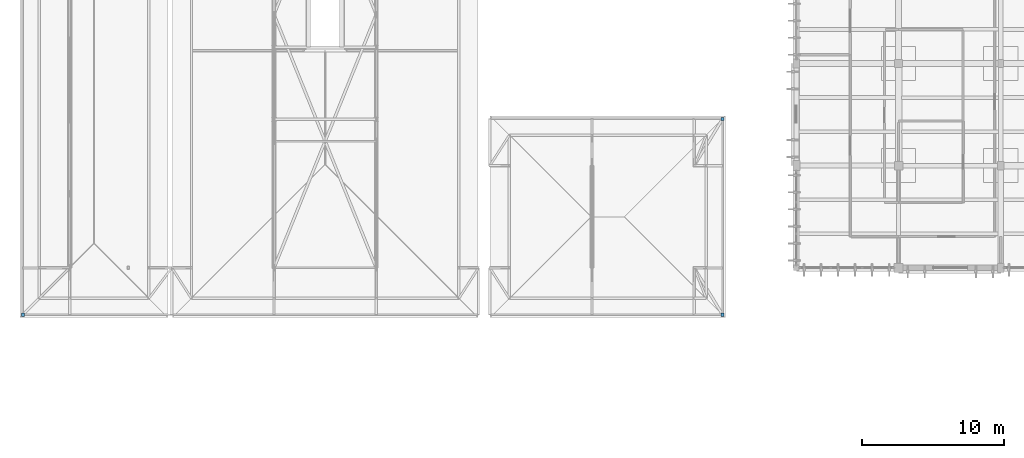
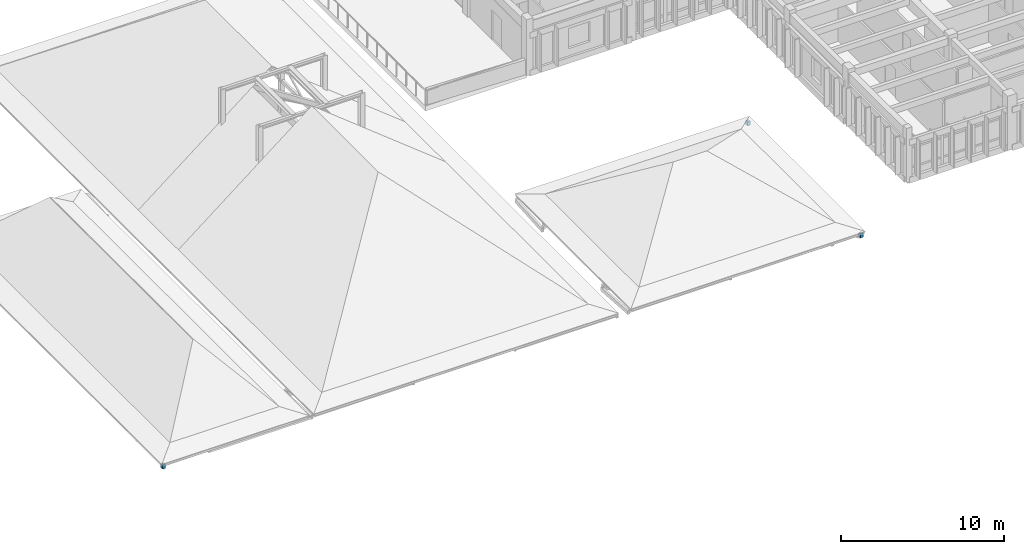
# One storey, part 44 of 51: 3 discrete accessories.
"""IFC4 building model written with IfcOpenShell, lengths in metres."""

from ifc_helpers import new_model, si_unit, direction, frame, origin, origin_2d, place, context, subcontext, project, spatial, rectangle, extrude, material, type_object, element, save


model = new_model("IFC4")

# Units and contexts
model_context = context("Model", 3, precision=1e-05, world=origin(), true_north=direction((0.0, 1.0)))
body_context = subcontext(model_context, "Body", "Model", "MODEL_VIEW")
ifc_project = project(units=[si_unit("LENGTHUNIT", "METRE"), si_unit("AREAUNIT", "SQUARE_METRE"), si_unit("VOLUMEUNIT", "CUBIC_METRE"), si_unit("PLANEANGLEUNIT", "RADIAN"), si_unit("MASSUNIT", "GRAM", prefix="KILO")], contexts=[model_context])

# Site, building, storey
site_placement = place(None, origin())
site = spatial("IfcSite", under=ifc_project, at=site_placement, CompositionType="ELEMENT")
building_placement = place(site_placement, origin())
building = spatial("IfcBuilding", under=site, at=building_placement, Name="Steenspoor Specialist Clinic", CompositionType="ELEMENT")
storey_placement = place(building_placement, frame((0.0, 0.0, 17.39990234375)))
storey = spatial("IfcBuildingStorey", under=building, at=storey_placement, Name="L04", CompositionType="ELEMENT", Elevation=17.39990234375)

# Discrete accessories
ifc_material = material(Name="Galvanised steel mounting bracket", Category="steel")
discrete_accessory_type = type_object("IfcDiscreteAccessoryType", Name="ACC-BRACKET-FIN", PredefinedType="BRACKET", material=ifc_material)
for number, where, z_axis, x_axis, name in (
    (1, (68.800048828125, 69.050048828125, -0.39794921875), (0.0, 0.0, 1.0), (1.0, 0.0, 0.0), "Eave Corner Hip Bracket 153"),
    (2, (68.800048828125, 82.85009765625, -0.39794921875), (0.0, 0.0, 1.0), (1.0, 0.0, 0.0), "Eave Corner Hip Bracket 155"),
    (3, (19.5, 69.050048828125, -0.39794921875), (0.0, 0.0, 1.0), (1.0, 0.0, 0.0), "Eave Corner Hip Bracket 303"),
):
    element("IfcDiscreteAccessory", number, at=place(storey_placement, frame(where, z_axis=z_axis, x_axis=x_axis)), inside=storey, type_object=discrete_accessory_type, Name=name, PredefinedType="BRACKET", context=body_context, shape_type="SweptSolid", body=[
        extrude(rectangle(XDim=0.219970703125, YDim=0.219970703125, at=origin_2d()), origin(), (0.0, 0.0, 1.0), 0.293212890625),
    ])

save(model, "model.ifc")
